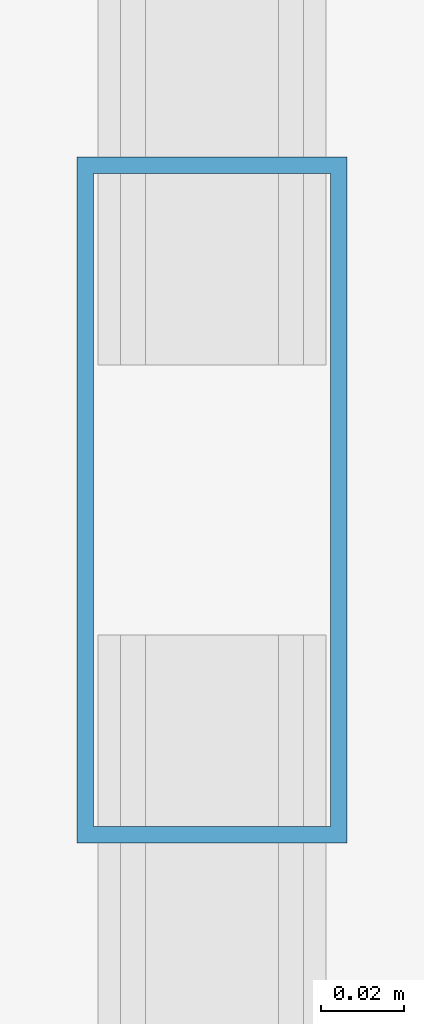
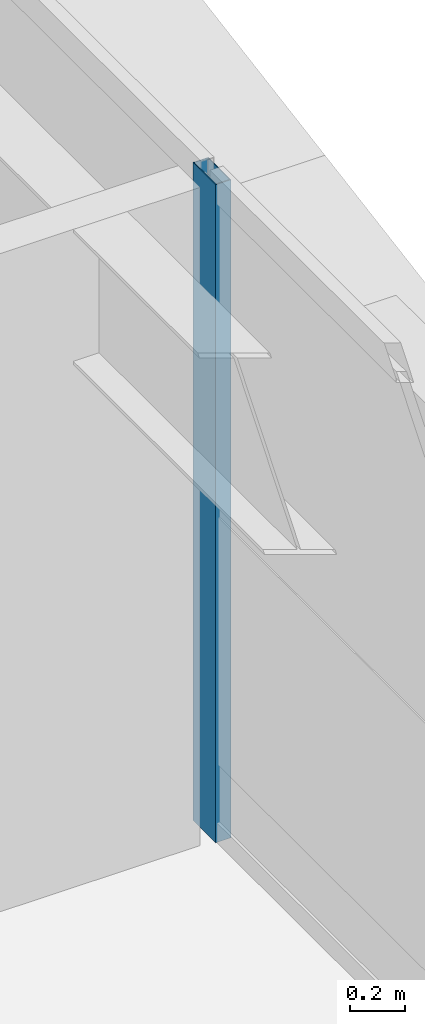
# One storey, part 26 of 59: 1 member, 1 element without a shape of its own.
"""IFC4 building model written with IfcOpenShell, lengths in metres."""

from ifc_helpers import new_model, si_unit, direction, frame, origin, origin_2d, place, context, subcontext, project, spatial, hollow_rectangle, extrude, source, transform, mapped, material, layer, layer_set, material_profile, profile_set, type_object, element, aggregate, save


model = new_model("IFC4")

# Units and contexts
model_context = context("Model", 3, precision=1e-05, world=origin(), true_north=direction((0.0, 1.0)))
body_context = subcontext(model_context, "Body", "Model", "MODEL_VIEW")
ifc_project = project(units=[si_unit("LENGTHUNIT", "METRE"), si_unit("AREAUNIT", "SQUARE_METRE"), si_unit("VOLUMEUNIT", "CUBIC_METRE"), si_unit("PLANEANGLEUNIT", "RADIAN"), si_unit("MASSUNIT", "GRAM", prefix="KILO")], contexts=[model_context])

# Site, building, storey
site_placement = place(None, origin())
site = spatial("IfcSite", under=ifc_project, at=site_placement, CompositionType="ELEMENT")
building_placement = place(site_placement, origin())
building = spatial("IfcBuilding", under=site, at=building_placement, Name="Taldren Reach Tower", CompositionType="ELEMENT")
storey_placement = place(building_placement, frame((0.0, 0.0, 23.10009765625)))
storey = spatial("IfcBuildingStorey", under=building, at=storey_placement, Name="L06", CompositionType="ELEMENT", Elevation=23.10009765625)

# Curtain wall, member
ifc_material_1 = material(Name="Aluminium and Low-E Glass Unitised System", Category="aluminium")
ifc_layer = layer(ifc_material_1, 0.159912109375)
ifc_layer_set = layer_set([ifc_layer], Name="Aluminium and Low-E Glass Unitised System")
curtain_wall_type = type_object("IfcCurtainWallType", Name="CW-SYS-2", PredefinedType="NOTDEFINED", material=ifc_layer_set)
curtain_wall_placement = place(storey_placement, origin())
curtain_wall = element("IfcCurtainWall", 1, at=curtain_wall_placement, inside=storey, type_object=curtain_wall_type, Name="Unitised curtain wall CW-L06-E", PredefinedType="NOTDEFINED")
ifc_material_2 = material(Name="Anodised Aluminium 6063-T6", Category="aluminium")
ifc_material_profile = material_profile(ifc_material_2, hollow_rectangle(XDim=0.06494140625, YDim=0.1650390625, WallThickness=0.00390625, at=origin_2d()), Name="ALU-165x65x4RHS")
ifc_profile_set = profile_set([ifc_material_profile], Name="Anodised Aluminium 6063-T6")
member_type = type_object("IfcMemberType", Name="CW-MUL-165", PredefinedType="MULLION", material=ifc_profile_set)
shared_shape = source(origin(), body_context, "Body", "SweptSolid", [
    extrude(hollow_rectangle(XDim=0.06494140625, YDim=0.1650390625, WallThickness=0.00390625, at=origin_2d()), origin(), (0.0, 0.0, 1.0), 2.929931640625),
])
member_placement = place(storey_placement, frame((64.860107421875, 11.388916015625, 0.0), z_axis=(0.0, 0.0, 1.0), x_axis=(-1.0, 0.0, 0.0)))
member = element("IfcMember", 2, at=member_placement, type_object=member_type, Name="CW-2 mullion 3", PredefinedType="MULLION", context=body_context, shape_type="MappedRepresentation", body=[
    mapped(shared_shape, transform((0.0, 0.0, 0.0), scale=1.0)),
])
aggregate(curtain_wall, [member])

save(model, "model.ifc")
